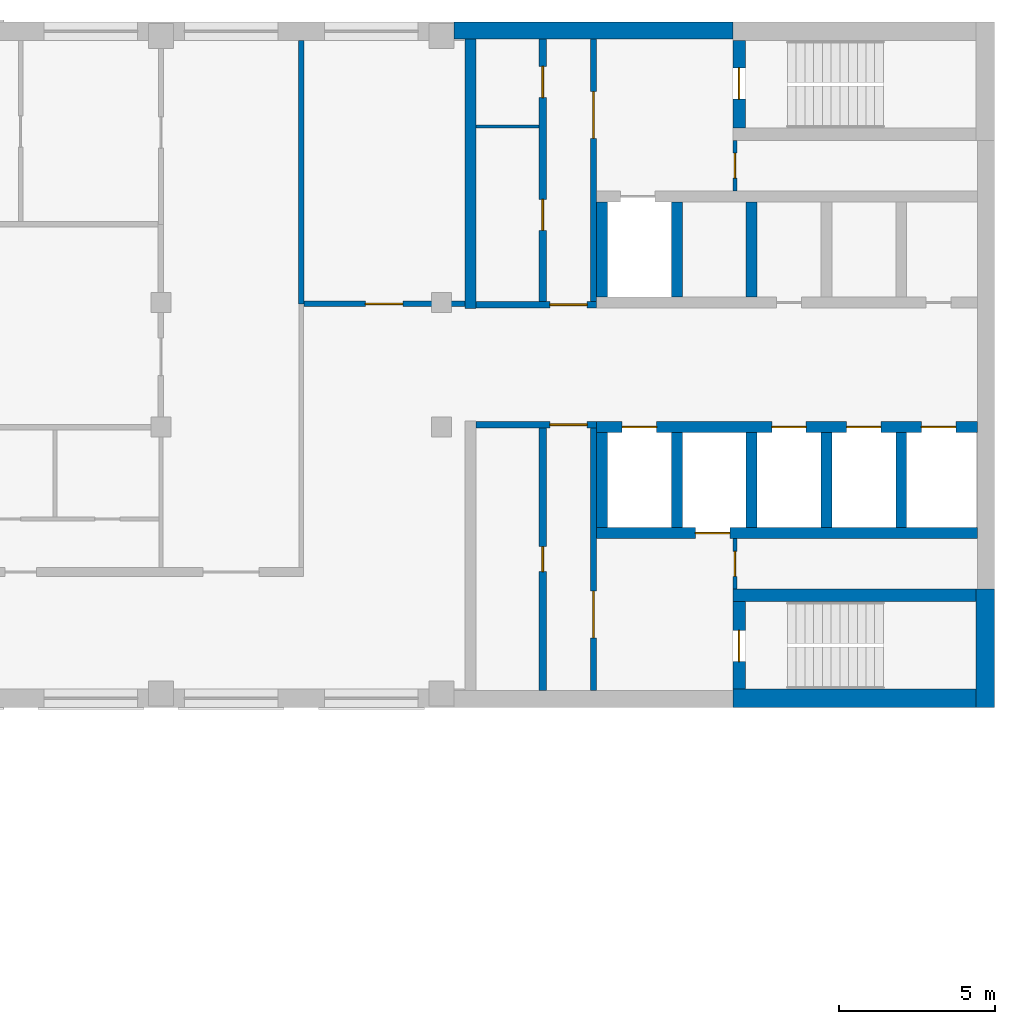
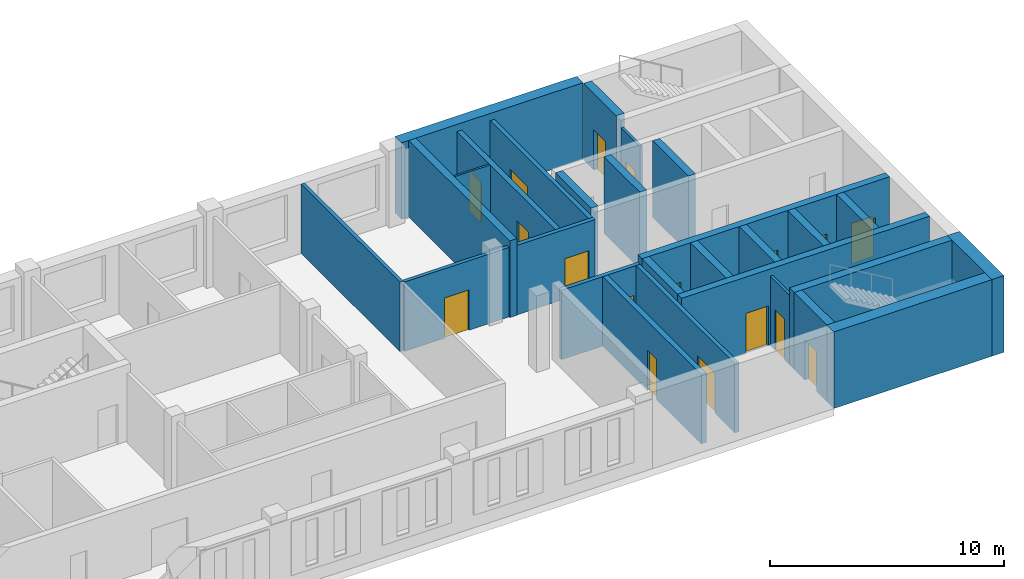
# One storey, part 6 of 9: 28 walls, 17 doors, 17 openings.
"""IFC4 building model written with IfcOpenShell, lengths in metres."""

from ifc_helpers import new_model, si_unit, direction, frame, frame_2d, origin, place, context, subcontext, project, spatial, rectangle, extrude, material, layer, layer_set, type_object, element, fill, save


model = new_model("IFC4")

# Units and contexts
model_context = context("Model", 3, precision=1e-05, world=origin(), true_north=direction((0.0, 1.0)))
body_context = subcontext(model_context, "Body", "Model", "MODEL_VIEW")
ifc_project = project(units=[si_unit("LENGTHUNIT", "METRE"), si_unit("AREAUNIT", "SQUARE_METRE"), si_unit("VOLUMEUNIT", "CUBIC_METRE"), si_unit("PLANEANGLEUNIT", "RADIAN"), si_unit("MASSUNIT", "GRAM", prefix="KILO")], contexts=[model_context])

# Site, building, storey
site_placement = place(None, origin())
site = spatial("IfcSite", under=ifc_project, at=site_placement, CompositionType="ELEMENT")
building_placement = place(site_placement, origin())
building = spatial("IfcBuilding", under=site, at=building_placement, Name="Skarvind Civic Tower", CompositionType="ELEMENT")
storey_placement = place(building_placement, frame((0.0, 0.0, 158.5)))
storey = spatial("IfcBuildingStorey", under=building, at=storey_placement, Name="L37", CompositionType="ELEMENT", Elevation=158.5)

# Wall
ifc_material_1 = material(Name="Acoustic gypsum board on steel studs", Category="steel")
ifc_layer_1 = layer(ifc_material_1, 0.175048828125)
ifc_layer_set_1 = layer_set([ifc_layer_1], Name="ACOUSTIC MEETING-ROOM PARTITION 175")
wall_type_1 = type_object("IfcWallType", Name="ACOUSTIC MEETING-ROOM PARTITION 175", PredefinedType="PARTITIONING", material=ifc_layer_set_1)
wall_1_placement = place(storey_placement, frame((85.75, 129.949951171875, 0.0), z_axis=(0.0, 0.0, 1.0), x_axis=(0.0, 1.0, 0.0)))
element("IfcWall", 1, at=wall_1_placement, inside=storey, type_object=wall_type_1, Name="Partition 37.044", PredefinedType="PARTITIONING", context=body_context, shape_type="SweptSolid", body=[
    extrude(rectangle(XDim=8.449951171875, YDim=0.175048828125, at=frame_2d((4.22509765625, 0.0))), origin(), (0.0, 0.0, 1.0), 3.625),
])

# Wall, opening, door
wall_2_placement = place(storey_placement, frame((85.837890625, 129.949951171875, 0.0), z_axis=(0.0, 0.0, 1.0), x_axis=(1.0, 0.0, 0.0)))
wall_2 = element("IfcWall", 2, at=wall_2_placement, inside=storey, type_object=wall_type_1, Name="Partition 37.045", PredefinedType="PARTITIONING", context=body_context, shape_type="SweptSolid", body=[
    extrude(rectangle(XDim=5.162109375, YDim=0.175048828125, at=frame_2d((2.5810546875, 0.0))), origin(), (0.0, 0.0, 1.0), 3.625),
])
opening_1_placement = place(wall_2_placement, frame((1.970947265625, 0.0, 0.0)))
opening_1 = element("IfcOpeningElement", 3, at=opening_1_placement, cuts=wall_2, Name="Opening L37-D001", PredefinedType="OPENING", context=body_context, shape_type="SweptSolid", body=[
    extrude(rectangle(XDim=1.199951171875, YDim=2.10009765625, at=frame_2d((0.60009765625, 1.050048828125))), frame((0.0, 0.097412109375, 0.0), z_axis=(0.0, -1.0, 0.0), x_axis=(1.0, 0.0, 0.0)), (0.0, 0.0, 1.0), 0.195068359375),
])
ifc_material_2 = material(Name="Timber door leaf", Category="wood")
door_type_1 = type_object("IfcDoorType", Name="DOOR 1200X2100 DOUBLE TIMBER", OperationType="NOTDEFINED", PredefinedType="DOOR", material=ifc_material_2)
door_1_placement = place(opening_1_placement, origin())
door_1 = element("IfcDoor", 4, at=door_1_placement, inside=storey, type_object=door_type_1, Name="Door L37-D001", OperationType="DOUBLE_DOOR_SINGLE_SWING", OverallHeight=2.10009765625, OverallWidth=1.199951171875, PredefinedType="DOOR", context=body_context, shape_type="SweptSolid", body=[
    extrude(rectangle(XDim=1.199951171875, YDim=2.10009765625, at=frame_2d((0.60009765625, 1.050048828125))), frame((0.0, 0.02490234375, 0.0), z_axis=(0.0, -1.0, 0.0), x_axis=(1.0, 0.0, 0.0)), (0.0, 0.0, 1.0), 0.050048828125),
])
fill(opening_1, door_1)

ifc_material_3 = material(Name="Fire-rated masonry partition", Category="masonry")
ifc_layer_2 = layer(ifc_material_3, 0.199951171875)
ifc_layer_set_2 = layer_set([ifc_layer_2], Name="Core enclosure wall 200")
wall_type_2 = type_object("IfcWallType", Name="Core enclosure wall 200", PredefinedType="PARTITIONING", material=ifc_layer_set_2)
wall_3_placement = place(storey_placement, frame((95.22509765625, 126.074951171875, 0.0), z_axis=(0.0, 0.0, 1.0), x_axis=(-1.0, 0.0, 0.0)))
wall_3 = element("IfcWall", 5, at=wall_3_placement, inside=storey, type_object=wall_type_2, Name="Core wall C1", PredefinedType="PARTITIONING", context=body_context, shape_type="SweptSolid", body=[
    extrude(rectangle(XDim=3.875, YDim=0.199951171875, at=frame_2d((1.9375, 0.0))), origin(), (0.0, 0.0, 1.0), 3.625),
])
opening_2_placement = place(wall_3_placement, frame((0.300048828125, 0.0, 0.0)))
opening_2 = element("IfcOpeningElement", 6, at=opening_2_placement, cuts=wall_3, Name="Opening D-L37-C1-07", PredefinedType="OPENING", context=body_context, shape_type="SweptSolid", body=[
    extrude(rectangle(XDim=1.199951171875, YDim=2.10009765625, at=frame_2d((0.60009765625, 1.050048828125))), frame((0.0, 0.10986328125, 0.0), z_axis=(0.0, -1.0, 0.0), x_axis=(1.0, 0.0, 0.0)), (0.0, 0.0, 1.0), 0.219970703125),
])
ifc_material_4 = material(Name="Fire-rated steel door", Category="steel")
door_type_2 = type_object("IfcDoorType", Name="Core lobby door 1200", OperationType="NOTDEFINED", PredefinedType="DOOR", material=ifc_material_4)
door_2_placement = place(opening_2_placement, origin())
door_2 = element("IfcDoor", 7, at=door_2_placement, inside=storey, type_object=door_type_2, Name="Fire door", OperationType="DOUBLE_DOOR_SINGLE_SWING", OverallHeight=2.10009765625, OverallWidth=1.199951171875, PredefinedType="DOOR", context=body_context, shape_type="SweptSolid", body=[
    extrude(rectangle(XDim=1.199951171875, YDim=2.10009765625, at=frame_2d((0.60009765625, 1.050048828125))), frame((0.0, 0.02490234375, 0.0), z_axis=(0.0, -1.0, 0.0), x_axis=(1.0, 0.0, 0.0)), (0.0, 0.0, 1.0), 0.050048828125),
])
fill(opening_2, door_2)

wall_4_placement = place(storey_placement, frame((95.125, 117.550048828125, 0.0), z_axis=(0.0, 0.0, 1.0), x_axis=(0.0, 1.0, 0.0)))
wall_4 = element("IfcWall", 8, at=wall_4_placement, inside=storey, type_object=wall_type_2, Name="Core wall C1", PredefinedType="PARTITIONING", context=body_context, shape_type="SweptSolid", body=[
    extrude(rectangle(XDim=8.425048828125, YDim=0.199951171875, at=frame_2d((4.21240234375, 0.0))), origin(), (0.0, 0.0, 1.0), 3.625),
])
opening_3_placement = place(wall_4_placement, frame((1.6875, 0.0, 0.0)))
opening_3 = element("IfcOpeningElement", 9, at=opening_3_placement, cuts=wall_4, Name="Opening D-L37-C1-08", PredefinedType="OPENING", context=body_context, shape_type="SweptSolid", body=[
    extrude(rectangle(XDim=1.5, YDim=2.10009765625, at=frame_2d((0.75, 1.050048828125))), frame((0.0, 0.10986328125, 0.0), z_axis=(0.0, -1.0, 0.0), x_axis=(1.0, 0.0, 0.0)), (0.0, 0.0, 1.0), 0.219970703125),
])
door_type_3 = type_object("IfcDoorType", Name="Fire door 1500", OperationType="NOTDEFINED", PredefinedType="DOOR", material=ifc_material_4)
door_3_placement = place(opening_3_placement, origin())
door_3 = element("IfcDoor", 10, at=door_3_placement, inside=storey, type_object=door_type_3, Name="Fire door", OperationType="DOUBLE_DOOR_SINGLE_SWING", OverallHeight=2.10009765625, OverallWidth=1.5, PredefinedType="DOOR", context=body_context, shape_type="SweptSolid", body=[
    extrude(rectangle(XDim=1.5, YDim=2.10009765625, at=frame_2d((0.75, 1.050048828125))), frame((0.0, 0.02490234375, 0.0), z_axis=(0.0, -1.0, 0.0), x_axis=(1.0, 0.0, 0.0)), (0.0, 0.0, 1.0), 0.050048828125),
])
fill(opening_3, door_3)

wall_5_placement = place(storey_placement, frame((91.35009765625, 129.925048828125, 0.0), z_axis=(0.0, 0.0, 1.0), x_axis=(1.0, 0.0, 0.0)))
wall_5 = element("IfcWall", 11, at=wall_5_placement, inside=storey, type_object=wall_type_2, Name="Core wall C1", PredefinedType="PARTITIONING", context=body_context, shape_type="SweptSolid", body=[
    extrude(rectangle(XDim=3.875, YDim=0.199951171875, at=frame_2d((1.9375, 0.0))), origin(), (0.0, 0.0, 1.0), 3.625),
])
opening_4_placement = place(wall_5_placement, frame((2.375, 0.0, 0.0)))
opening_4 = element("IfcOpeningElement", 12, at=opening_4_placement, cuts=wall_5, Name="Opening D-L37-C1-12", PredefinedType="OPENING", context=body_context, shape_type="SweptSolid", body=[
    extrude(rectangle(XDim=1.199951171875, YDim=2.10009765625, at=frame_2d((0.60009765625, 1.050048828125))), frame((0.0, 0.10986328125, 0.0), z_axis=(0.0, -1.0, 0.0), x_axis=(1.0, 0.0, 0.0)), (0.0, 0.0, 1.0), 0.219970703125),
])
door_4_placement = place(opening_4_placement, origin())
door_4 = element("IfcDoor", 13, at=door_4_placement, inside=storey, type_object=door_type_2, Name="Fire door", OperationType="DOUBLE_DOOR_SINGLE_SWING", OverallHeight=2.10009765625, OverallWidth=1.199951171875, PredefinedType="DOOR", context=body_context, shape_type="SweptSolid", body=[
    extrude(rectangle(XDim=1.199951171875, YDim=2.10009765625, at=frame_2d((0.60009765625, 1.050048828125))), frame((0.0, 0.02490234375, 0.0), z_axis=(0.0, -1.0, 0.0), x_axis=(1.0, 0.0, 0.0)), (0.0, 0.0, 1.0), 0.050048828125),
])
fill(opening_4, door_4)

wall_6_placement = place(storey_placement, frame((95.125, 130.02490234375, 0.0), z_axis=(0.0, 0.0, 1.0), x_axis=(0.0, 1.0, 0.0)))
wall_6 = element("IfcWall", 14, at=wall_6_placement, inside=storey, type_object=wall_type_2, Name="Core wall C1", PredefinedType="PARTITIONING", context=body_context, shape_type="SweptSolid", body=[
    extrude(rectangle(XDim=8.425048828125, YDim=0.199951171875, at=frame_2d((4.21240234375, 0.0))), origin(), (0.0, 0.0, 1.0), 3.625),
])
opening_5_placement = place(wall_6_placement, frame((5.237548828125, 0.0, 0.0)))
opening_5 = element("IfcOpeningElement", 15, at=opening_5_placement, cuts=wall_6, Name="Opening D-L37-C1-13", PredefinedType="OPENING", context=body_context, shape_type="SweptSolid", body=[
    extrude(rectangle(XDim=1.5, YDim=2.10009765625, at=frame_2d((0.75, 1.050048828125))), frame((0.0, 0.10986328125, 0.0), z_axis=(0.0, -1.0, 0.0), x_axis=(1.0, 0.0, 0.0)), (0.0, 0.0, 1.0), 0.219970703125),
])
door_5_placement = place(opening_5_placement, origin())
door_5 = element("IfcDoor", 16, at=door_5_placement, inside=storey, type_object=door_type_3, Name="Fire door", OperationType="DOUBLE_DOOR_SINGLE_SWING", OverallHeight=2.10009765625, OverallWidth=1.5, PredefinedType="DOOR", context=body_context, shape_type="SweptSolid", body=[
    extrude(rectangle(XDim=1.5, YDim=2.10009765625, at=frame_2d((0.75, 1.050048828125))), frame((0.0, 0.02490234375, 0.0), z_axis=(0.0, -1.0, 0.0), x_axis=(1.0, 0.0, 0.0)), (0.0, 0.0, 1.0), 0.050048828125),
])
fill(opening_5, door_5)

# Walls
ifc_material_5 = material(Name="Fire-rated plasterboard partition")
ifc_layer_3 = layer(ifc_material_5, 0.10009765625)
ifc_layer_set_3 = layer_set([ifc_layer_3], Name="Core partition wall 100")
wall_type_3 = type_object("IfcWallType", Name="Core partition wall 100", PredefinedType="PARTITIONING", material=ifc_layer_set_3)
wall_7_placement = place(storey_placement, frame((91.35009765625, 135.639892578125, 0.0), z_axis=(0.0, 0.0, 1.0), x_axis=(1.0, 0.0, 0.0)))
element("IfcWall", 17, at=wall_7_placement, inside=storey, type_object=wall_type_3, Name="Core wall C1", PredefinedType="PARTITIONING", context=body_context, shape_type="SweptSolid", body=[
    extrude(rectangle(XDim=2.02490234375, YDim=0.10009765625, at=frame_2d((1.012451171875, 0.0))), origin(), (0.0, 0.0, 1.0), 3.625),
])
ifc_material_6 = material(Name="Concrete C60", Category="concrete")
ifc_layer_4 = layer(ifc_material_6, 0.35009765625)
ifc_layer_set_4 = layer_set([ifc_layer_4], Name="Core wall 350 C60")
wall_type_4 = type_object("IfcWallType", Name="Core wall 350 C60", PredefinedType="SHEAR", material=ifc_layer_set_4)
for number, where, z_axis, x_axis, name in (
    (18, (100.199951171875, 133.22509765625, 0.0), (0.0, 0.0, 1.0), (0.0, -1.0, 0.0), "Core wall C1 south lift row division 3 L37"),
    (19, (97.800048828125, 133.22509765625, 0.0), (0.0, 0.0, 1.0), (0.0, -1.0, 0.0), "Core wall C1 south lift row division 4 L37"),
    (20, (95.39990234375, 133.22509765625, 0.0), (0.0, 0.0, 1.0), (0.0, -1.0, 0.0), "Core wall C1 south lift row division 5 L37"),
):
    element("IfcWall", number, at=place(storey_placement, frame(where, z_axis=z_axis, x_axis=x_axis)), inside=storey, type_object=wall_type_4, Name=name, PredefinedType="SHEAR", context=body_context, shape_type="SweptSolid", body=[
        extrude(rectangle(XDim=3.050048828125, YDim=0.35009765625, at=frame_2d((1.52490234375, 0.0))), origin(), (0.0, 0.0, 1.0), 4.0),
    ])

# Wall, openings, doors
wall_8_placement = place(storey_placement, frame((107.449951171875, 126.0, 0.0), z_axis=(0.0, 0.0, 1.0), x_axis=(-1.0, 0.0, 0.0)))
wall_8 = element("IfcWall", 21, at=wall_8_placement, inside=storey, type_object=wall_type_4, Name="Core wall C1 north lift row front L37", PredefinedType="SHEAR", context=body_context, shape_type="SweptSolid", body=[
    extrude(rectangle(XDim=12.224853515625, YDim=0.35009765625, at=frame_2d((6.1123046875, 0.0))), origin(), (0.0, 0.0, 1.0), 4.0),
])
opening_6_placement = place(wall_8_placement, frame((0.699951171875, 0.0, 0.0)))
opening_6 = element("IfcOpeningElement", 22, at=opening_6_placement, cuts=wall_8, Name="Opening LD39101", PredefinedType="OPENING", context=body_context, shape_type="SweptSolid", body=[
    extrude(rectangle(XDim=1.10009765625, YDim=2.10009765625, at=frame_2d((0.550048828125, 1.050048828125))), frame((0.0, 0.18505859375, 0.0), z_axis=(0.0, -1.0, 0.0), x_axis=(1.0, 0.0, 0.0)), (0.0, 0.0, 1.0), 0.3701171875),
])
opening_7_placement = place(wall_8_placement, frame((3.10009765625, 0.0, 0.0)))
opening_7 = element("IfcOpeningElement", 23, at=opening_7_placement, cuts=wall_8, Name="Opening LD39102", PredefinedType="OPENING", context=body_context, shape_type="SweptSolid", body=[
    extrude(rectangle(XDim=1.10009765625, YDim=2.10009765625, at=frame_2d((0.550048828125, 1.050048828125))), frame((0.0, 0.18505859375, 0.0), z_axis=(0.0, -1.0, 0.0), x_axis=(1.0, 0.0, 0.0)), (0.0, 0.0, 1.0), 0.3701171875),
])
opening_8_placement = place(wall_8_placement, frame((5.5, 0.0, 0.0)))
opening_8 = element("IfcOpeningElement", 24, at=opening_8_placement, cuts=wall_8, Name="Opening LD39103", PredefinedType="OPENING", context=body_context, shape_type="SweptSolid", body=[
    extrude(rectangle(XDim=1.10009765625, YDim=2.10009765625, at=frame_2d((0.550048828125, 1.050048828125))), frame((0.0, 0.18505859375, 0.0), z_axis=(0.0, -1.0, 0.0), x_axis=(1.0, 0.0, 0.0)), (0.0, 0.0, 1.0), 0.3701171875),
])
opening_9_placement = place(wall_8_placement, frame((10.300048828125, 0.0, 0.0)))
opening_9 = element("IfcOpeningElement", 25, at=opening_9_placement, cuts=wall_8, Name="Opening LD39105", PredefinedType="OPENING", context=body_context, shape_type="SweptSolid", body=[
    extrude(rectangle(XDim=1.10009765625, YDim=2.10009765625, at=frame_2d((0.550048828125, 1.050048828125))), frame((0.0, 0.18505859375, 0.0), z_axis=(0.0, -1.0, 0.0), x_axis=(1.0, 0.0, 0.0)), (0.0, 0.0, 1.0), 0.3701171875),
])
ifc_material_7 = material(Name="Stainless steel landing door", Category="steel")
door_type_4 = type_object("IfcDoorType", Name="Lift landing door 1100", OperationType="DOUBLE_DOOR_SLIDING", PredefinedType="DOOR", material=ifc_material_7)
door_6_placement = place(opening_6_placement, origin())
door_6 = element("IfcDoor", 26, at=door_6_placement, inside=storey, type_object=door_type_4, Name="Lift landing door", OperationType="DOUBLE_DOOR_SLIDING", OverallHeight=2.10009765625, OverallWidth=1.10009765625, PredefinedType="DOOR", context=body_context, shape_type="SweptSolid", body=[
    extrude(rectangle(XDim=1.10009765625, YDim=2.10009765625, at=frame_2d((0.550048828125, 1.050048828125))), frame((0.0, 0.02490234375, 0.0), z_axis=(0.0, -1.0, 0.0), x_axis=(1.0, 0.0, 0.0)), (0.0, 0.0, 1.0), 0.050048828125),
])
fill(opening_6, door_6)
door_7_placement = place(opening_7_placement, origin())
door_7 = element("IfcDoor", 27, at=door_7_placement, inside=storey, type_object=door_type_4, Name="Lift landing door", OperationType="DOUBLE_DOOR_SLIDING", OverallHeight=2.10009765625, OverallWidth=1.10009765625, PredefinedType="DOOR", context=body_context, shape_type="SweptSolid", body=[
    extrude(rectangle(XDim=1.10009765625, YDim=2.10009765625, at=frame_2d((0.550048828125, 1.050048828125))), frame((0.0, 0.02490234375, 0.0), z_axis=(0.0, -1.0, 0.0), x_axis=(1.0, 0.0, 0.0)), (0.0, 0.0, 1.0), 0.050048828125),
])
fill(opening_7, door_7)
door_8_placement = place(opening_8_placement, origin())
door_8 = element("IfcDoor", 28, at=door_8_placement, inside=storey, type_object=door_type_4, Name="Lift landing door", OperationType="DOUBLE_DOOR_SLIDING", OverallHeight=2.10009765625, OverallWidth=1.10009765625, PredefinedType="DOOR", context=body_context, shape_type="SweptSolid", body=[
    extrude(rectangle(XDim=1.10009765625, YDim=2.10009765625, at=frame_2d((0.550048828125, 1.050048828125))), frame((0.0, 0.02490234375, 0.0), z_axis=(0.0, -1.0, 0.0), x_axis=(1.0, 0.0, 0.0)), (0.0, 0.0, 1.0), 0.050048828125),
])
fill(opening_8, door_8)
door_9_placement = place(opening_9_placement, origin())
door_9 = element("IfcDoor", 29, at=door_9_placement, inside=storey, type_object=door_type_4, Name="Lift landing door", OperationType="DOUBLE_DOOR_SLIDING", OverallHeight=2.10009765625, OverallWidth=1.10009765625, PredefinedType="DOOR", context=body_context, shape_type="SweptSolid", body=[
    extrude(rectangle(XDim=1.10009765625, YDim=2.10009765625, at=frame_2d((0.550048828125, 1.050048828125))), frame((0.0, 0.02490234375, 0.0), z_axis=(0.0, -1.0, 0.0), x_axis=(1.0, 0.0, 0.0)), (0.0, 0.0, 1.0), 0.050048828125),
])
fill(opening_9, door_9)

# Wall, opening, door
wall_9_placement = place(storey_placement, frame((107.449951171875, 122.60009765625, 0.0), z_axis=(0.0, 0.0, 1.0), x_axis=(-1.0, 0.0, 0.0)))
wall_9 = element("IfcWall", 30, at=wall_9_placement, inside=storey, type_object=wall_type_4, Name="Core wall C1 north lift row back L37", PredefinedType="SHEAR", context=body_context, shape_type="SweptSolid", body=[
    extrude(rectangle(XDim=12.224853515625, YDim=0.35009765625, at=frame_2d((6.1123046875, 0.0))), origin(), (0.0, 0.0, 1.0), 4.0),
])
opening_10_placement = place(wall_9_placement, frame((7.949951171875, 0.0, 0.0)))
opening_10 = element("IfcOpeningElement", 31, at=opening_10_placement, cuts=wall_9, Name="Opening LD39104", PredefinedType="OPENING", context=body_context, shape_type="SweptSolid", body=[
    extrude(rectangle(XDim=1.10009765625, YDim=2.10009765625, at=frame_2d((0.550048828125, 1.050048828125))), frame((0.0, 0.18505859375, 0.0), z_axis=(0.0, -1.0, 0.0), x_axis=(1.0, 0.0, 0.0)), (0.0, 0.0, 1.0), 0.3701171875),
])
door_10_placement = place(opening_10_placement, origin())
door_10 = element("IfcDoor", 32, at=door_10_placement, inside=storey, type_object=door_type_4, Name="Lift landing door", OperationType="DOUBLE_DOOR_SLIDING", OverallHeight=2.10009765625, OverallWidth=1.10009765625, PredefinedType="DOOR", context=body_context, shape_type="SweptSolid", body=[
    extrude(rectangle(XDim=1.10009765625, YDim=2.10009765625, at=frame_2d((0.550048828125, 1.050048828125))), frame((0.0, 0.02490234375, 0.0), z_axis=(0.0, -1.0, 0.0), x_axis=(1.0, 0.0, 0.0)), (0.0, 0.0, 1.0), 0.050048828125),
])
fill(opening_10, door_10)

# Walls
for number, where, z_axis, x_axis, name in (
    (33, (105.0, 125.824951171875, 0.0), (0.0, 0.0, 1.0), (0.0, -1.0, 0.0), "Core wall C1 north lift row division 1 L37"),
    (34, (102.60009765625, 125.824951171875, 0.0), (0.0, 0.0, 1.0), (0.0, -1.0, 0.0), "Core wall C1 north lift row division 2 L37"),
    (35, (100.199951171875, 125.824951171875, 0.0), (0.0, 0.0, 1.0), (0.0, -1.0, 0.0), "Core wall C1 north lift row division 3 L37"),
    (36, (97.800048828125, 125.824951171875, 0.0), (0.0, 0.0, 1.0), (0.0, -1.0, 0.0), "Core wall C1 north lift row division 4 L37"),
    (37, (95.39990234375, 125.824951171875, 0.0), (0.0, 0.0, 1.0), (0.0, -1.0, 0.0), "Core wall C1 north lift row division 5 L37"),
):
    element("IfcWall", number, at=place(storey_placement, frame(where, z_axis=z_axis, x_axis=x_axis)), inside=storey, type_object=wall_type_4, Name=name, PredefinedType="SHEAR", context=body_context, shape_type="SweptSolid", body=[
        extrude(rectangle(XDim=3.050048828125, YDim=0.35009765625, at=frame_2d((1.52490234375, 0.0))), origin(), (0.0, 0.0, 1.0), 4.0),
    ])
wall_10_placement = place(storey_placement, frame((91.175048828125, 138.449951171875, 0.0), z_axis=(0.0, 0.0, 1.0), x_axis=(0.0, -1.0, 0.0)))
element("IfcWall", 38, at=wall_10_placement, inside=storey, type_object=wall_type_4, Name="Core wall C1 south inner face L37", PredefinedType="SHEAR", context=body_context, shape_type="SweptSolid", body=[
    extrude(rectangle(XDim=8.64990234375, YDim=0.35009765625, at=frame_2d((4.324951171875, 0.0))), origin(), (0.0, 0.0, 1.0), 4.0),
])

# Wall, opening, door
ifc_layer_5 = layer(ifc_material_6, 0.39990234375)
ifc_layer_set_5 = layer_set([ifc_layer_5], Name="Core wall 400 C60")
wall_type_5 = type_object("IfcWallType", Name="Core wall 400 C60", PredefinedType="SHEAR", material=ifc_layer_set_5)
wall_11_placement = place(storey_placement, frame((99.800048828125, 138.39990234375, 0.0), z_axis=(0.0, 0.0, 1.0), x_axis=(0.0, -1.0, 0.0)))
wall_11 = element("IfcWall", 39, at=wall_11_placement, inside=storey, type_object=wall_type_5, Name="Core wall C1 south stair end L37", PredefinedType="SHEAR", context=body_context, shape_type="SweptSolid", body=[
    extrude(rectangle(XDim=2.7998046875, YDim=0.39990234375, at=frame_2d((1.39990234375, 0.0))), origin(), (0.0, 0.0, 1.0), 4.0),
])
opening_11_placement = place(wall_11_placement, frame((0.875, 0.0, 0.0)))
opening_11 = element("IfcOpeningElement", 40, at=opening_11_placement, cuts=wall_11, Name="Opening D-L37-C1-14", PredefinedType="OPENING", context=body_context, shape_type="SweptSolid", body=[
    extrude(rectangle(XDim=1.0, YDim=2.10009765625, at=frame_2d((0.5, 1.050048828125))), frame((0.0, 0.2099609375, 0.0), z_axis=(0.0, -1.0, 0.0), x_axis=(1.0, 0.0, 0.0)), (0.0, 0.0, 1.0), 0.419921875),
])
door_type_5 = type_object("IfcDoorType", Name="Fire door 1000", OperationType="NOTDEFINED", PredefinedType="DOOR", material=ifc_material_4)
door_11_placement = place(opening_11_placement, origin())
door_11 = element("IfcDoor", 41, at=door_11_placement, inside=storey, type_object=door_type_5, Name="Fire door", OperationType="SINGLE_SWING_RIGHT", OverallHeight=2.10009765625, OverallWidth=1.0, PredefinedType="DOOR", context=body_context, shape_type="SweptSolid", body=[
    extrude(rectangle(XDim=1.0, YDim=2.10009765625, at=frame_2d((0.5, 1.050048828125))), frame((0.0, 0.02490234375, 0.0), z_axis=(0.0, -1.0, 0.0), x_axis=(1.0, 0.0, 0.0)), (0.0, 0.0, 1.0), 0.050048828125),
])
fill(opening_11, door_11)

# Wall
wall_12_placement = place(storey_placement, frame((107.39990234375, 120.60009765625, 0.0), z_axis=(0.0, 0.0, 1.0), x_axis=(-1.0, 0.0, 0.0)))
element("IfcWall", 42, at=wall_12_placement, inside=storey, type_object=wall_type_5, Name="Core wall C1 north stair inner L37", PredefinedType="SHEAR", context=body_context, shape_type="SweptSolid", body=[
    extrude(rectangle(XDim=7.7998046875, YDim=0.39990234375, at=frame_2d((3.89990234375, 0.0))), origin(), (0.0, 0.0, 1.0), 4.0),
])

# Wall, opening, door
wall_13_placement = place(storey_placement, frame((99.800048828125, 120.39990234375, 0.0), z_axis=(0.0, 0.0, 1.0), x_axis=(0.0, -1.0, 0.0)))
wall_13 = element("IfcWall", 43, at=wall_13_placement, inside=storey, type_object=wall_type_5, Name="Core wall C1 north stair end L37", PredefinedType="SHEAR", context=body_context, shape_type="SweptSolid", body=[
    extrude(rectangle(XDim=2.7998046875, YDim=0.39990234375, at=frame_2d((1.39990234375, 0.0))), origin(), (0.0, 0.0, 1.0), 4.0),
])
opening_12_placement = place(wall_13_placement, frame((0.925048828125, 0.0, 0.0)))
opening_12 = element("IfcOpeningElement", 44, at=opening_12_placement, cuts=wall_13, Name="Opening D-L37-C1-09", PredefinedType="OPENING", context=body_context, shape_type="SweptSolid", body=[
    extrude(rectangle(XDim=1.0, YDim=2.10009765625, at=frame_2d((0.5, 1.050048828125))), frame((0.0, 0.2099609375, 0.0), z_axis=(0.0, -1.0, 0.0), x_axis=(1.0, 0.0, 0.0)), (0.0, 0.0, 1.0), 0.419921875),
])
door_12_placement = place(opening_12_placement, origin())
door_12 = element("IfcDoor", 45, at=door_12_placement, inside=storey, type_object=door_type_5, Name="Fire door", OperationType="SINGLE_SWING_LEFT", OverallHeight=2.10009765625, OverallWidth=1.0, PredefinedType="DOOR", context=body_context, shape_type="SweptSolid", body=[
    extrude(rectangle(XDim=1.0, YDim=2.10009765625, at=frame_2d((0.5, 1.050048828125))), frame((0.0, 0.02490234375, 0.0), z_axis=(0.0, -1.0, 0.0), x_axis=(1.0, 0.0, 0.0)), (0.0, 0.0, 1.0), 0.050048828125),
])
fill(opening_12, door_12)

# Walls
ifc_layer_6 = layer(ifc_material_6, 0.550048828125)
ifc_layer_set_6 = layer_set([ifc_layer_6], Name="Core wall 550 C60")
wall_type_6 = type_object("IfcWallType", Name="Core wall 550 C60", PredefinedType="SHEAR", material=ifc_layer_set_6)
wall_14_placement = place(storey_placement, frame((99.60009765625, 138.72509765625, 0.0), z_axis=(0.0, 0.0, 1.0), x_axis=(-1.0, 0.0, 0.0)))
element("IfcWall", 46, at=wall_14_placement, inside=storey, type_object=wall_type_6, Name="Core wall C1 south side L37", PredefinedType="SHEAR", context=body_context, shape_type="SweptSolid", body=[
    extrude(rectangle(XDim=8.9501953125, YDim=0.550048828125, at=frame_2d((4.47509765625, 0.0))), origin(), (0.0, 0.0, 1.0), 4.0),
])
ifc_layer_7 = layer(ifc_material_6, 0.60009765625)
ifc_layer_set_7 = layer_set([ifc_layer_7], Name="Core wall 600 C60")
wall_type_7 = type_object("IfcWallType", Name="Core wall 600 C60", PredefinedType="SHEAR", material=ifc_layer_set_7)
wall_15_placement = place(storey_placement, frame((107.699951171875, 120.800048828125, 0.0), z_axis=(0.0, 0.0, 1.0), x_axis=(0.0, -1.0, 0.0)))
element("IfcWall", 47, at=wall_15_placement, inside=storey, type_object=wall_type_7, Name="Core wall C1 tip at the north stair L37", PredefinedType="SHEAR", context=body_context, shape_type="SweptSolid", body=[
    extrude(rectangle(XDim=3.800048828125, YDim=0.60009765625, at=frame_2d((1.89990234375, 0.0))), origin(), (0.0, 0.0, 1.0), 4.0),
])
wall_16_placement = place(storey_placement, frame((107.39990234375, 117.300048828125, 0.0), z_axis=(0.0, 0.0, 1.0), x_axis=(-1.0, 0.0, 0.0)))
element("IfcWall", 48, at=wall_16_placement, inside=storey, type_object=wall_type_7, Name="Core wall C1 north side at the stair L37", PredefinedType="SHEAR", context=body_context, shape_type="SweptSolid", body=[
    extrude(rectangle(XDim=7.7998046875, YDim=0.60009765625, at=frame_2d((3.89990234375, 0.0))), origin(), (0.0, 0.0, 1.0), 4.0),
])

# Wall, opening, door
ifc_layer_8 = layer(ifc_material_3, 0.125)
ifc_layer_set_8 = layer_set([ifc_layer_8], Name="Riser wall 125")
wall_type_8 = type_object("IfcWallType", Name="Riser wall 125", PredefinedType="PARTITIONING", material=ifc_layer_set_8)
wall_17_placement = place(storey_placement, frame((99.66259765625, 120.800048828125, 0.0), z_axis=(0.0, 0.0, 1.0), x_axis=(0.0, 1.0, 0.0)))
wall_17 = element("IfcWall", 49, at=wall_17_placement, inside=storey, type_object=wall_type_8, Name="Core wall C1", PredefinedType="PARTITIONING", context=body_context, shape_type="SweptSolid", body=[
    extrude(rectangle(XDim=1.625, YDim=0.125, at=frame_2d((0.8125, 0.0))), origin(), (0.0, 0.0, 1.0), 3.625),
])
opening_13_placement = place(wall_17_placement, frame((0.41259765625, 0.0, 0.0)))
opening_13 = element("IfcOpeningElement", 50, at=opening_13_placement, cuts=wall_17, Name="Opening D-L37-C1-10", PredefinedType="OPENING", context=body_context, shape_type="SweptSolid", body=[
    extrude(rectangle(XDim=0.800048828125, YDim=2.10009765625, at=frame_2d((0.39990234375, 1.050048828125))), frame((0.0, 0.072509765625, 0.0), z_axis=(0.0, -1.0, 0.0), x_axis=(1.0, 0.0, 0.0)), (0.0, 0.0, 1.0), 0.14501953125),
])
door_type_6 = type_object("IfcDoorType", Name="Core riser door 800", OperationType="NOTDEFINED", PredefinedType="DOOR", material=ifc_material_4)
door_13_placement = place(opening_13_placement, origin())
door_13 = element("IfcDoor", 51, at=door_13_placement, inside=storey, type_object=door_type_6, Name="Riser door", OperationType="SINGLE_SWING_RIGHT", OverallHeight=2.10009765625, OverallWidth=0.800048828125, PredefinedType="DOOR", context=body_context, shape_type="SweptSolid", body=[
    extrude(rectangle(XDim=0.800048828125, YDim=2.10009765625, at=frame_2d((0.39990234375, 1.050048828125))), frame((0.0, 0.02490234375, 0.0), z_axis=(0.0, -1.0, 0.0), x_axis=(1.0, 0.0, 0.0)), (0.0, 0.0, 1.0), 0.050048828125),
])
fill(opening_13, door_13)

wall_18_placement = place(storey_placement, frame((99.66259765625, 133.574951171875, 0.0), z_axis=(0.0, 0.0, 1.0), x_axis=(0.0, 1.0, 0.0)))
wall_18 = element("IfcWall", 52, at=wall_18_placement, inside=storey, type_object=wall_type_8, Name="Core wall C1", PredefinedType="PARTITIONING", context=body_context, shape_type="SweptSolid", body=[
    extrude(rectangle(XDim=1.625, YDim=0.125, at=frame_2d((0.8125, 0.0))), origin(), (0.0, 0.0, 1.0), 3.625),
])
opening_14_placement = place(wall_18_placement, frame((0.41259765625, 0.0, 0.0)))
opening_14 = element("IfcOpeningElement", 53, at=opening_14_placement, cuts=wall_18, Name="Opening D-L37-C1-15", PredefinedType="OPENING", context=body_context, shape_type="SweptSolid", body=[
    extrude(rectangle(XDim=0.800048828125, YDim=2.10009765625, at=frame_2d((0.39990234375, 1.050048828125))), frame((0.0, 0.072509765625, 0.0), z_axis=(0.0, -1.0, 0.0), x_axis=(1.0, 0.0, 0.0)), (0.0, 0.0, 1.0), 0.14501953125),
])
door_14_placement = place(opening_14_placement, origin())
door_14 = element("IfcDoor", 54, at=door_14_placement, inside=storey, type_object=door_type_6, Name="Riser door", OperationType="SINGLE_SWING_LEFT", OverallHeight=2.10009765625, OverallWidth=0.800048828125, PredefinedType="DOOR", context=body_context, shape_type="SweptSolid", body=[
    extrude(rectangle(XDim=0.800048828125, YDim=2.10009765625, at=frame_2d((0.39990234375, 1.050048828125))), frame((0.0, 0.02490234375, 0.0), z_axis=(0.0, -1.0, 0.0), x_axis=(1.0, 0.0, 0.0)), (0.0, 0.0, 1.0), 0.050048828125),
])
fill(opening_14, door_14)

ifc_layer_9 = layer(ifc_material_3, 0.25)
ifc_layer_set_9 = layer_set([ifc_layer_9], Name="Service block wall 250")
wall_type_9 = type_object("IfcWallType", Name="Service block wall 250", PredefinedType="PARTITIONING", material=ifc_layer_set_9)
wall_19_placement = place(storey_placement, frame((93.5, 117.550048828125, 0.0), z_axis=(0.0, 0.0, 1.0), x_axis=(0.0, 1.0, 0.0)))
wall_19 = element("IfcWall", 55, at=wall_19_placement, inside=storey, type_object=wall_type_9, Name="Core wall C1", PredefinedType="PARTITIONING", context=body_context, shape_type="SweptSolid", body=[
    extrude(rectangle(XDim=8.425048828125, YDim=0.25, at=frame_2d((4.21240234375, 0.0))), origin(), (0.0, 0.0, 1.0), 3.625),
])
opening_15_placement = place(wall_19_placement, frame((3.8125, 0.0, 0.0)))
opening_15 = element("IfcOpeningElement", 56, at=opening_15_placement, cuts=wall_19, Name="Opening D-L37-C1-11", PredefinedType="OPENING", context=body_context, shape_type="SweptSolid", body=[
    extrude(rectangle(XDim=0.800048828125, YDim=2.10009765625, at=frame_2d((0.39990234375, 1.050048828125))), frame((0.0, 0.135009765625, 0.0), z_axis=(0.0, -1.0, 0.0), x_axis=(1.0, 0.0, 0.0)), (0.0, 0.0, 1.0), 0.27001953125),
])
door_15_placement = place(opening_15_placement, origin())
door_15 = element("IfcDoor", 57, at=door_15_placement, inside=storey, type_object=door_type_6, Name="Riser door", OperationType="SINGLE_SWING_LEFT", OverallHeight=2.10009765625, OverallWidth=0.800048828125, PredefinedType="DOOR", context=body_context, shape_type="SweptSolid", body=[
    extrude(rectangle(XDim=0.800048828125, YDim=2.10009765625, at=frame_2d((0.39990234375, 1.050048828125))), frame((0.0, 0.02490234375, 0.0), z_axis=(0.0, -1.0, 0.0), x_axis=(1.0, 0.0, 0.0)), (0.0, 0.0, 1.0), 0.050048828125),
])
fill(opening_15, door_15)

# Wall, openings, doors
wall_20_placement = place(storey_placement, frame((93.5, 130.02490234375, 0.0), z_axis=(0.0, 0.0, 1.0), x_axis=(0.0, 1.0, 0.0)))
wall_20 = element("IfcWall", 58, at=wall_20_placement, inside=storey, type_object=wall_type_9, Name="Core wall C1", PredefinedType="PARTITIONING", context=body_context, shape_type="SweptSolid", body=[
    extrude(rectangle(XDim=8.425048828125, YDim=0.25, at=frame_2d((4.21240234375, 0.0))), origin(), (0.0, 0.0, 1.0), 3.625),
])
opening_16_placement = place(wall_20_placement, frame((2.282470703125, 0.0, 0.0)))
opening_16 = element("IfcOpeningElement", 59, at=opening_16_placement, cuts=wall_20, Name="Opening D-L37-C1-16", PredefinedType="OPENING", context=body_context, shape_type="SweptSolid", body=[
    extrude(rectangle(XDim=1.0, YDim=2.10009765625, at=frame_2d((0.5, 1.050048828125))), frame((0.0, 0.135009765625, 0.0), z_axis=(0.0, -1.0, 0.0), x_axis=(1.0, 0.0, 0.0)), (0.0, 0.0, 1.0), 0.27001953125),
])
opening_17_placement = place(wall_20_placement, frame((6.544921875, 0.0, 0.0)))
opening_17 = element("IfcOpeningElement", 60, at=opening_17_placement, cuts=wall_20, Name="Opening D-L37-C1-17", PredefinedType="OPENING", context=body_context, shape_type="SweptSolid", body=[
    extrude(rectangle(XDim=1.0, YDim=2.10009765625, at=frame_2d((0.5, 1.050048828125))), frame((0.0, 0.135009765625, 0.0), z_axis=(0.0, -1.0, 0.0), x_axis=(1.0, 0.0, 0.0)), (0.0, 0.0, 1.0), 0.27001953125),
])
door_16_placement = place(opening_16_placement, origin())
door_16 = element("IfcDoor", 61, at=door_16_placement, inside=storey, type_object=door_type_5, Name="Fire door", OperationType="SINGLE_SWING_RIGHT", OverallHeight=2.10009765625, OverallWidth=1.0, PredefinedType="DOOR", context=body_context, shape_type="SweptSolid", body=[
    extrude(rectangle(XDim=1.0, YDim=2.10009765625, at=frame_2d((0.5, 1.050048828125))), frame((0.0, 0.02490234375, 0.0), z_axis=(0.0, -1.0, 0.0), x_axis=(1.0, 0.0, 0.0)), (0.0, 0.0, 1.0), 0.050048828125),
])
fill(opening_16, door_16)
door_17_placement = place(opening_17_placement, origin())
door_17 = element("IfcDoor", 62, at=door_17_placement, inside=storey, type_object=door_type_5, Name="Fire door", OperationType="SINGLE_SWING_LEFT", OverallHeight=2.10009765625, OverallWidth=1.0, PredefinedType="DOOR", context=body_context, shape_type="SweptSolid", body=[
    extrude(rectangle(XDim=1.0, YDim=2.10009765625, at=frame_2d((0.5, 1.050048828125))), frame((0.0, 0.02490234375, 0.0), z_axis=(0.0, -1.0, 0.0), x_axis=(1.0, 0.0, 0.0)), (0.0, 0.0, 1.0), 0.050048828125),
])
fill(opening_17, door_17)

save(model, "model.ifc")
